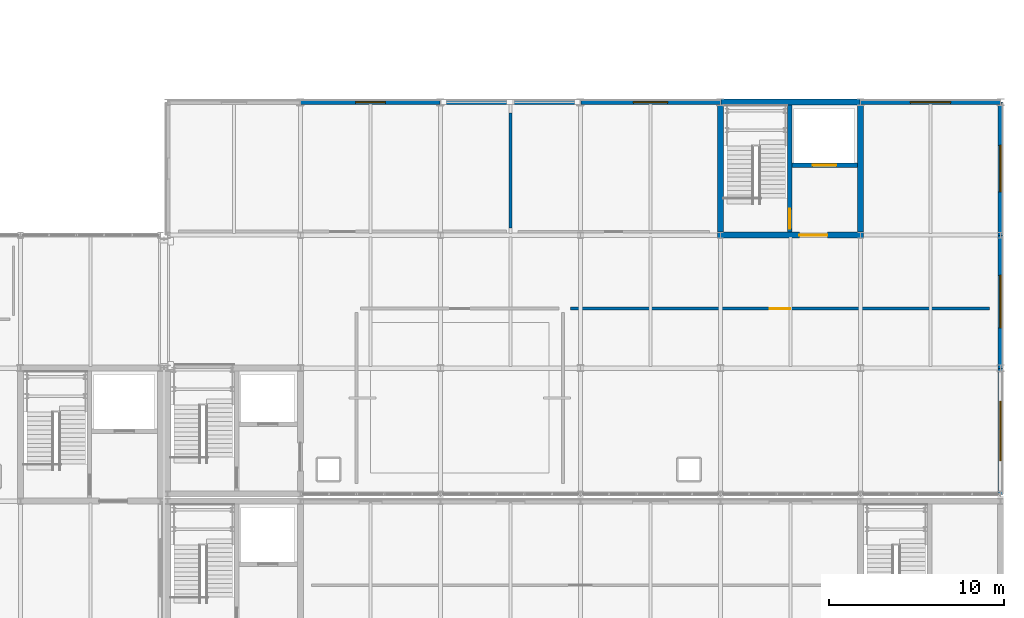
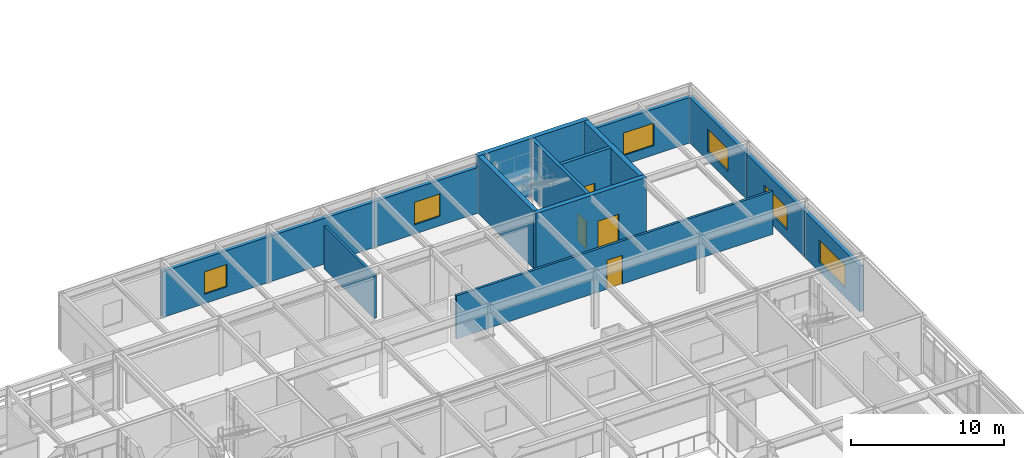
# One storey, part 89 of 104: 15 walls, 6 windows, 4 doors, 10 openings.
"""IFC4 building model written with IfcOpenShell, lengths in metres."""

from ifc_helpers import new_model, si_unit, direction, frame, frame_2d, origin, place, context, subcontext, project, spatial, rectangle, extrude, material, layer, layer_set, type_object, element, fill, save


model = new_model("IFC4")

# Units and contexts
model_context = context("Model", 3, precision=1e-05, world=origin(), true_north=direction((0.0, 1.0)))
body_context = subcontext(model_context, "Body", "Model", "MODEL_VIEW")
ifc_project = project(units=[si_unit("LENGTHUNIT", "METRE"), si_unit("AREAUNIT", "SQUARE_METRE"), si_unit("VOLUMEUNIT", "CUBIC_METRE"), si_unit("PLANEANGLEUNIT", "RADIAN"), si_unit("MASSUNIT", "GRAM", prefix="KILO")], contexts=[model_context])

# Site, building, storey
site_placement = place(None, origin())
site = spatial("IfcSite", under=ifc_project, at=site_placement, CompositionType="ELEMENT")
building_placement = place(site_placement, origin())
building = spatial("IfcBuilding", under=site, at=building_placement, Name="Zulena Civic Courthouse", CompositionType="ELEMENT")
storey_placement = place(building_placement, frame((0.0, 0.0, 10.800048828125)))
storey = spatial("IfcBuildingStorey", under=building, at=storey_placement, Name="L02", CompositionType="ELEMENT", Elevation=10.800048828125)

# Wall, opening, door
ifc_material_1 = material(Name="Concrete C40/50", Category="concrete")
ifc_layer_1 = layer(ifc_material_1, 0.25)
ifc_layer_set_1 = layer_set([ifc_layer_1], Name="Concrete C40/50")
wall_type_1 = type_object("IfcWallType", Name="CoreShearWall_RC250", PredefinedType="SHEAR", material=ifc_layer_set_1)
wall_1_placement = place(storey_placement, frame((159.949951171875, 45.77490234375, 0.0), z_axis=(0.0, 0.0, 1.0), x_axis=(0.0, 1.0, 0.0)))
wall_1 = element("IfcWall", 1, at=wall_1_placement, inside=storey, type_object=wall_type_1, Name="cwall:K3B:L02:DIV", PredefinedType="SHEAR", context=body_context, shape_type="SweptSolid", body=[
    extrude(rectangle(XDim=7.25, YDim=0.25, at=frame_2d((3.625, 0.0))), origin(), (0.0, 0.0, 1.0), 4.58984375),
])
opening_1_placement = place(wall_1_placement, frame((0.179931640625, 0.0, 0.0)))
opening_1 = element("IfcOpeningElement", 2, at=opening_1_placement, cuts=wall_1, Name="Opening ID08", PredefinedType="OPENING", context=body_context, shape_type="SweptSolid", body=[
    extrude(rectangle(XDim=1.14990234375, YDim=2.199951171875, at=frame_2d((0.574951171875, 1.10009765625))), frame((0.0, 0.135009765625, 0.0), z_axis=(0.0, -1.0, 0.0), x_axis=(1.0, 0.0, 0.0)), (0.0, 0.0, 1.0), 0.27001953125),
])
ifc_material_2 = material(Name="Fire-rated galvanised steel ASTM A653 Grade 50", Category="steel")
door_type_1 = type_object("IfcDoorType", Name="IntDoor_Stair_1150x2200", OperationType="NOTDEFINED", PredefinedType="DOOR", material=ifc_material_2)
door_1_placement = place(opening_1_placement, origin())
door_1 = element("IfcDoor", 3, at=door_1_placement, inside=storey, type_object=door_type_1, Name="door:stair:K3B:L02", OperationType="SINGLE_SWING_LEFT", OverallHeight=2.199951171875, OverallWidth=1.14990234375, PredefinedType="DOOR", context=body_context, shape_type="SweptSolid", body=[
    extrude(rectangle(XDim=1.14990234375, YDim=2.199951171875, at=frame_2d((0.574951171875, 1.10009765625))), frame((0.0, 0.02490234375, 0.0), z_axis=(0.0, -1.0, 0.0), x_axis=(1.0, 0.0, 0.0)), (0.0, 0.0, 1.0), 0.050048828125),
])
fill(opening_1, door_1)

wall_2_placement = place(storey_placement, frame((160.074951171875, 49.60009765625, 0.0), z_axis=(0.0, 0.0, 1.0), x_axis=(1.0, 0.0, 0.0)))
wall_2 = element("IfcWall", 4, at=wall_2_placement, inside=storey, type_object=wall_type_1, Name="cwall:K3B:L02:SHF", PredefinedType="SHEAR", context=body_context, shape_type="SweptSolid", body=[
    extrude(rectangle(XDim=3.75, YDim=0.25, at=frame_2d((1.875, 0.0))), origin(), (0.0, 0.0, 1.0), 4.58984375),
])
opening_2_placement = place(wall_2_placement, frame((1.195068359375, 0.0, 0.0)))
opening_2 = element("IfcOpeningElement", 5, at=opening_2_placement, cuts=wall_2, Name="Opening LD04", PredefinedType="OPENING", context=body_context, shape_type="SweptSolid", body=[
    extrude(rectangle(XDim=1.35009765625, YDim=2.199951171875, at=frame_2d((0.675048828125, 1.10009765625))), frame((0.0, 0.135009765625, 0.0), z_axis=(0.0, -1.0, 0.0), x_axis=(1.0, 0.0, 0.0)), (0.0, 0.0, 1.0), 0.27001953125),
])
door_type_2 = type_object("IfcDoorType", Name="LiftLandingDoor_Goods_1350x2300", OperationType="DOUBLE_DOOR_SLIDING", PredefinedType="DOOR", material=ifc_material_2)
door_2_placement = place(opening_2_placement, origin())
door_2 = element("IfcDoor", 6, at=door_2_placement, inside=storey, type_object=door_type_2, Name="door:ld:GL-01:L02", OperationType="DOUBLE_DOOR_SLIDING", OverallHeight=2.199951171875, OverallWidth=1.35009765625, PredefinedType="DOOR", context=body_context, shape_type="SweptSolid", body=[
    extrude(rectangle(XDim=1.35009765625, YDim=2.199951171875, at=frame_2d((0.675048828125, 1.10009765625))), frame((0.0, 0.02490234375, 0.0), z_axis=(0.0, -1.0, 0.0), x_axis=(1.0, 0.0, 0.0)), (0.0, 0.0, 1.0), 0.050048828125),
])
fill(opening_2, door_2)

ifc_layer_2 = layer(ifc_material_1, 0.35009765625)
ifc_layer_set_2 = layer_set([ifc_layer_2], Name="Concrete C40/50")
wall_type_2 = type_object("IfcWallType", Name="CoreShearWall_RC350", PredefinedType="SHEAR", material=ifc_layer_set_2)
wall_3_placement = place(storey_placement, frame((155.824951171875, 45.60009765625, 0.0), z_axis=(0.0, 0.0, 1.0), x_axis=(1.0, 0.0, 0.0)))
wall_3 = element("IfcWall", 7, at=wall_3_placement, inside=storey, type_object=wall_type_2, Name="cwall:K3B:L02:S", PredefinedType="SHEAR", context=body_context, shape_type="SweptSolid", body=[
    extrude(rectangle(XDim=8.35009765625, YDim=0.35009765625, at=frame_2d((4.175048828125, 0.0))), origin(), (0.0, 0.0, 1.0), 4.58984375),
])
opening_3_placement = place(wall_3_placement, frame((4.68505859375, 0.0, 0.0)))
opening_3 = element("IfcOpeningElement", 8, at=opening_3_placement, cuts=wall_3, Name="Opening ID04", PredefinedType="OPENING", context=body_context, shape_type="SweptSolid", body=[
    extrude(rectangle(XDim=1.60009765625, YDim=2.35009765625, at=frame_2d((0.800048828125, 1.175048828125))), frame((0.0, 0.18505859375, 0.0), z_axis=(0.0, -1.0, 0.0), x_axis=(1.0, 0.0, 0.0)), (0.0, 0.0, 1.0), 0.3701171875),
])
ifc_material_3 = material(Name="Solid-core acoustic hardwood timber", Category="wood")
door_type_3 = type_object("IfcDoorType", Name="IntDoor_CourtPublic_1600x2350", OperationType="DOUBLE_DOOR_SINGLE_SWING", PredefinedType="DOOR", material=ifc_material_3)
door_3_placement = place(opening_3_placement, origin())
door_3 = element("IfcDoor", 9, at=door_3_placement, inside=storey, type_object=door_type_3, Name="door:corelob:K3B:L02", OperationType="DOUBLE_DOOR_SINGLE_SWING", OverallHeight=2.35009765625, OverallWidth=1.60009765625, PredefinedType="DOOR", context=body_context, shape_type="SweptSolid", body=[
    extrude(rectangle(XDim=1.60009765625, YDim=2.35009765625, at=frame_2d((0.800048828125, 1.175048828125))), frame((0.0, 0.02490234375, 0.0), z_axis=(0.0, -1.0, 0.0), x_axis=(1.0, 0.0, 0.0)), (0.0, 0.0, 1.0), 0.050048828125),
])
fill(opening_3, door_3)

# Walls
wall_4_placement = place(storey_placement, frame((155.824951171875, 53.199951171875, 0.0), z_axis=(0.0, 0.0, 1.0), x_axis=(1.0, 0.0, 0.0)))
element("IfcWall", 10, at=wall_4_placement, inside=storey, type_object=wall_type_2, Name="cwall:K3B:L02:N", PredefinedType="SHEAR", context=body_context, shape_type="SweptSolid", body=[
    extrude(rectangle(XDim=8.35009765625, YDim=0.35009765625, at=frame_2d((4.175048828125, 0.0))), origin(), (0.0, 0.0, 1.0), 4.58984375),
])
for number, where, z_axis, x_axis, name in (
    (11, (156.0, 45.77490234375, 0.0), (0.0, 0.0, 1.0), (0.0, 1.0, 0.0), "cwall:K3B:L02:W"),
    (12, (164.0, 45.77490234375, 0.0), (0.0, 0.0, 1.0), (0.0, 1.0, 0.0), "cwall:K3B:L02:E"),
):
    element("IfcWall", number, at=place(storey_placement, frame(where, z_axis=z_axis, x_axis=x_axis)), inside=storey, type_object=wall_type_2, Name=name, PredefinedType="SHEAR", context=body_context, shape_type="SweptSolid", body=[
        extrude(rectangle(XDim=7.25, YDim=0.35009765625, at=frame_2d((3.625, 0.0))), origin(), (0.0, 0.0, 1.0), 4.58984375),
    ])

# Wall, opening, window
ifc_material_4 = material(Name="Travertine-cream architectural precast concrete C40/50", Category="masonry")
ifc_layer_3 = layer(ifc_material_4, 0.280029296875)
ifc_layer_set_3 = layer_set([ifc_layer_3], Name="Travertine-cream architectural precast concrete C40/50")
wall_type_3 = type_object("IfcWallType", Name="ExtWall_TravPrecast_280", PredefinedType="STANDARD", material=ifc_layer_set_3)
wall_5_placement = place(storey_placement, frame((131.97998046875, 53.199951171875, 0.0), z_axis=(0.0, 0.0, 1.0), x_axis=(1.0, 0.0, 0.0)))
wall_5 = element("IfcWall", 13, at=wall_5_placement, inside=storey, type_object=wall_type_3, Name="ewall:V3:L02:1:1", PredefinedType="STANDARD", context=body_context, shape_type="SweptSolid", body=[
    extrude(rectangle(XDim=8.0400390625, YDim=0.280029296875, at=frame_2d((4.02001953125, 0.0))), origin(), (0.0, 0.0, 1.0), 3.659912109375),
])
opening_4_placement = place(wall_5_placement, frame((3.169921875, 0.0, 0.75)))
opening_4 = element("IfcOpeningElement", 14, at=opening_4_placement, cuts=wall_5, Name="Opening WN18", PredefinedType="OPENING", context=body_context, shape_type="SweptSolid", body=[
    extrude(rectangle(XDim=1.699951171875, YDim=1.800048828125, at=frame_2d((0.85009765625, 0.89990234375))), frame((0.0, 0.14990234375, 0.0), z_axis=(0.0, -1.0, 0.0), x_axis=(1.0, 0.0, 0.0)), (0.0, 0.0, 1.0), 0.300048828125),
])
ifc_material_5 = material(Name="Double-silver low-E laminated solar-control glass", Category="glass")
window_type_1 = type_object("IfcWindowType", Name="Win_1700x1800", PartitioningType="SINGLE_PANEL", PredefinedType="WINDOW", material=ifc_material_5)
window_1_placement = place(opening_4_placement, origin())
window_1 = element("IfcWindow", 15, at=window_1_placement, inside=storey, type_object=window_type_1, Name="win:V3:L02:1:1", OverallHeight=1.800048828125, OverallWidth=1.699951171875, PartitioningType="SINGLE_PANEL", PredefinedType="WINDOW", context=body_context, shape_type="SweptSolid", body=[
    extrude(rectangle(XDim=1.699951171875, YDim=1.800048828125, at=frame_2d((0.85009765625, 0.89990234375))), frame((0.0, 0.030029296875, 0.0), z_axis=(0.0, -1.0, 0.0), x_axis=(1.0, 0.0, 0.0)), (0.0, 0.0, 1.0), 0.06005859375),
])
fill(opening_4, window_1)

# Wall
wall_6_placement = place(storey_placement, frame((139.97998046875, 53.199951171875, 0.0), z_axis=(0.0, 0.0, 1.0), x_axis=(1.0, 0.0, 0.0)))
element("IfcWall", 16, at=wall_6_placement, inside=storey, type_object=wall_type_3, Name="ewall:V3:L02:1:2", PredefinedType="STANDARD", context=body_context, shape_type="SweptSolid", body=[
    extrude(rectangle(XDim=8.0400390625, YDim=0.280029296875, at=frame_2d((4.02001953125, 0.0))), origin(), (0.0, 0.0, 1.0), 3.659912109375),
])

# Wall, opening, window
wall_7_placement = place(storey_placement, frame((147.97998046875, 53.199951171875, 0.0), z_axis=(0.0, 0.0, 1.0), x_axis=(1.0, 0.0, 0.0)))
wall_7 = element("IfcWall", 17, at=wall_7_placement, inside=storey, type_object=wall_type_3, Name="ewall:V3:L02:1:3", PredefinedType="STANDARD", context=body_context, shape_type="SweptSolid", body=[
    extrude(rectangle(XDim=8.0400390625, YDim=0.280029296875, at=frame_2d((4.02001953125, 0.0))), origin(), (0.0, 0.0, 1.0), 3.659912109375),
])
opening_5_placement = place(wall_7_placement, frame((3.044921875, 0.0, 0.75)))
opening_5 = element("IfcOpeningElement", 18, at=opening_5_placement, cuts=wall_7, Name="Opening WN19", PredefinedType="OPENING", context=body_context, shape_type="SweptSolid", body=[
    extrude(rectangle(XDim=1.949951171875, YDim=1.800048828125, at=frame_2d((0.97509765625, 0.89990234375))), frame((0.0, 0.14990234375, 0.0), z_axis=(0.0, -1.0, 0.0), x_axis=(1.0, 0.0, 0.0)), (0.0, 0.0, 1.0), 0.300048828125),
])
window_type_2 = type_object("IfcWindowType", Name="Win_1950x1800", PartitioningType="DOUBLE_PANEL_VERTICAL", PredefinedType="WINDOW", material=ifc_material_5)
window_2_placement = place(opening_5_placement, origin())
window_2 = element("IfcWindow", 19, at=window_2_placement, inside=storey, type_object=window_type_2, Name="win:V3:L02:1:3", OverallHeight=1.800048828125, OverallWidth=1.949951171875, PartitioningType="SINGLE_PANEL", PredefinedType="WINDOW", context=body_context, shape_type="SweptSolid", body=[
    extrude(rectangle(XDim=1.949951171875, YDim=1.800048828125, at=frame_2d((0.97509765625, 0.89990234375))), frame((0.0, 0.030029296875, 0.0), z_axis=(0.0, -1.0, 0.0), x_axis=(1.0, 0.0, 0.0)), (0.0, 0.0, 1.0), 0.06005859375),
])
fill(opening_5, window_2)

wall_8_placement = place(storey_placement, frame((163.97998046875, 53.199951171875, 0.0), z_axis=(0.0, 0.0, 1.0), x_axis=(1.0, 0.0, 0.0)))
wall_8 = element("IfcWall", 20, at=wall_8_placement, inside=storey, type_object=wall_type_3, Name="ewall:V3:L02:1:5", PredefinedType="STANDARD", context=body_context, shape_type="SweptSolid", body=[
    extrude(rectangle(XDim=8.0400390625, YDim=0.280029296875, at=frame_2d((4.02001953125, 0.0))), origin(), (0.0, 0.0, 1.0), 3.659912109375),
])
opening_6_placement = place(wall_8_placement, frame((2.8701171875, 0.0, 0.75)))
opening_6 = element("IfcOpeningElement", 21, at=opening_6_placement, cuts=wall_8, Name="Opening WN20", PredefinedType="OPENING", context=body_context, shape_type="SweptSolid", body=[
    extrude(rectangle(XDim=2.300048828125, YDim=1.800048828125, at=frame_2d((1.14990234375, 0.89990234375))), frame((0.0, 0.14990234375, 0.0), z_axis=(0.0, -1.0, 0.0), x_axis=(1.0, 0.0, 0.0)), (0.0, 0.0, 1.0), 0.300048828125),
])
window_type_3 = type_object("IfcWindowType", Name="Win_2300x1800", PartitioningType="DOUBLE_PANEL_VERTICAL", PredefinedType="WINDOW", material=ifc_material_5)
window_3_placement = place(opening_6_placement, origin())
window_3 = element("IfcWindow", 22, at=window_3_placement, inside=storey, type_object=window_type_3, Name="win:V3:L02:1:5", OverallHeight=1.800048828125, OverallWidth=2.300048828125, PartitioningType="SINGLE_PANEL", PredefinedType="WINDOW", context=body_context, shape_type="SweptSolid", body=[
    extrude(rectangle(XDim=2.300048828125, YDim=1.800048828125, at=frame_2d((1.14990234375, 0.89990234375))), frame((0.0, 0.030029296875, 0.0), z_axis=(0.0, -1.0, 0.0), x_axis=(1.0, 0.0, 0.0)), (0.0, 0.0, 1.0), 0.06005859375),
])
fill(opening_6, window_3)

wall_9_placement = place(storey_placement, frame((172.0, 53.219970703125, 0.0), z_axis=(0.0, 0.0, 1.0), x_axis=(0.0, -1.0, 0.0)))
wall_9 = element("IfcWall", 23, at=wall_9_placement, inside=storey, type_object=wall_type_3, Name="ewall:V3:L02:2:0", PredefinedType="STANDARD", context=body_context, shape_type="SweptSolid", body=[
    extrude(rectangle(XDim=7.639892578125, YDim=0.280029296875, at=frame_2d((3.81982421875, 0.0))), origin(), (0.0, 0.0, 1.0), 3.659912109375),
])
opening_7_placement = place(wall_9_placement, frame((2.4951171875, 0.0, 0.75)))
opening_7 = element("IfcOpeningElement", 24, at=opening_7_placement, cuts=wall_9, Name="Opening WN21", PredefinedType="OPENING", context=body_context, shape_type="SweptSolid", body=[
    extrude(rectangle(XDim=2.64990234375, YDim=1.800048828125, at=frame_2d((1.324951171875, 0.89990234375))), frame((0.0, 0.14990234375, 0.0), z_axis=(0.0, -1.0, 0.0), x_axis=(1.0, 0.0, 0.0)), (0.0, 0.0, 1.0), 0.300048828125),
])
window_type_4 = type_object("IfcWindowType", Name="Win_2650x1800", PartitioningType="DOUBLE_PANEL_VERTICAL", PredefinedType="WINDOW", material=ifc_material_5)
window_4_placement = place(opening_7_placement, origin())
window_4 = element("IfcWindow", 25, at=window_4_placement, inside=storey, type_object=window_type_4, Name="win:V3:L02:2:0", OverallHeight=1.800048828125, OverallWidth=2.64990234375, PartitioningType="SINGLE_PANEL", PredefinedType="WINDOW", context=body_context, shape_type="SweptSolid", body=[
    extrude(rectangle(XDim=2.64990234375, YDim=1.800048828125, at=frame_2d((1.324951171875, 0.89990234375))), frame((0.0, 0.030029296875, 0.0), z_axis=(0.0, -1.0, 0.0), x_axis=(1.0, 0.0, 0.0)), (0.0, 0.0, 1.0), 0.06005859375),
])
fill(opening_7, window_4)

wall_10_placement = place(storey_placement, frame((172.0, 45.6201171875, 0.0), z_axis=(0.0, 0.0, 1.0), x_axis=(0.0, -1.0, 0.0)))
wall_10 = element("IfcWall", 26, at=wall_10_placement, inside=storey, type_object=wall_type_3, Name="ewall:V3:L02:2:1", PredefinedType="STANDARD", context=body_context, shape_type="SweptSolid", body=[
    extrude(rectangle(XDim=7.64013671875, YDim=0.280029296875, at=frame_2d((3.820068359375, 0.0))), origin(), (0.0, 0.0, 1.0), 3.659912109375),
])
opening_8_placement = place(wall_10_placement, frame((2.320068359375, 0.0, 0.75)))
opening_8 = element("IfcOpeningElement", 27, at=opening_8_placement, cuts=wall_10, Name="Opening WN22", PredefinedType="OPENING", context=body_context, shape_type="SweptSolid", body=[
    extrude(rectangle(XDim=3.0, YDim=1.800048828125, at=frame_2d((1.5, 0.89990234375))), frame((0.0, 0.14990234375, 0.0), z_axis=(0.0, -1.0, 0.0), x_axis=(1.0, 0.0, 0.0)), (0.0, 0.0, 1.0), 0.300048828125),
])
window_type_5 = type_object("IfcWindowType", Name="Win_3000x1800", PartitioningType="DOUBLE_PANEL_VERTICAL", PredefinedType="WINDOW", material=ifc_material_5)
window_5_placement = place(opening_8_placement, origin())
window_5 = element("IfcWindow", 28, at=window_5_placement, inside=storey, type_object=window_type_5, Name="win:V3:L02:2:1", OverallHeight=1.800048828125, OverallWidth=3.0, PartitioningType="SINGLE_PANEL", PredefinedType="WINDOW", context=body_context, shape_type="SweptSolid", body=[
    extrude(rectangle(XDim=3.0, YDim=1.800048828125, at=frame_2d((1.5, 0.89990234375))), frame((0.0, 0.030029296875, 0.0), z_axis=(0.0, -1.0, 0.0), x_axis=(1.0, 0.0, 0.0)), (0.0, 0.0, 1.0), 0.06005859375),
])
fill(opening_8, window_5)

wall_11_placement = place(storey_placement, frame((172.0, 38.02001953125, 0.0), z_axis=(0.0, 0.0, 1.0), x_axis=(0.0, -1.0, 0.0)))
wall_11 = element("IfcWall", 29, at=wall_11_placement, inside=storey, type_object=wall_type_3, Name="ewall:V3:L02:2:2", PredefinedType="STANDARD", context=body_context, shape_type="SweptSolid", body=[
    extrude(rectangle(XDim=7.239990234375, YDim=0.280029296875, at=frame_2d((3.6201171875, 0.0))), origin(), (0.0, 0.0, 1.0), 3.659912109375),
])
opening_9_placement = place(wall_11_placement, frame((1.919921875, 0.0, 0.75)))
opening_9 = element("IfcOpeningElement", 30, at=opening_9_placement, cuts=wall_11, Name="Opening WN23", PredefinedType="OPENING", context=body_context, shape_type="SweptSolid", body=[
    extrude(rectangle(XDim=3.39990234375, YDim=1.800048828125, at=frame_2d((1.699951171875, 0.89990234375))), frame((0.0, 0.14990234375, 0.0), z_axis=(0.0, -1.0, 0.0), x_axis=(1.0, 0.0, 0.0)), (0.0, 0.0, 1.0), 0.300048828125),
])
window_type_6 = type_object("IfcWindowType", Name="Win_3400x1800", PartitioningType="DOUBLE_PANEL_VERTICAL", PredefinedType="WINDOW", material=ifc_material_5)
window_6_placement = place(opening_9_placement, origin())
window_6 = element("IfcWindow", 31, at=window_6_placement, inside=storey, type_object=window_type_6, Name="win:V3:L02:2:2", OverallHeight=1.800048828125, OverallWidth=3.39990234375, PartitioningType="SINGLE_PANEL", PredefinedType="WINDOW", context=body_context, shape_type="SweptSolid", body=[
    extrude(rectangle(XDim=3.39990234375, YDim=1.800048828125, at=frame_2d((1.699951171875, 0.89990234375))), frame((0.0, 0.030029296875, 0.0), z_axis=(0.0, -1.0, 0.0), x_axis=(1.0, 0.0, 0.0)), (0.0, 0.0, 1.0), 0.06005859375),
])
fill(opening_9, window_6)

# Wall, opening, door
ifc_material_6 = material(Name="Acoustic fire-rated gypsum board assembly", Category="masonry")
ifc_layer_4 = layer(ifc_material_6, 0.177978515625)
ifc_layer_set_4 = layer_set([ifc_layer_4], Name="Acoustic fire-rated gypsum board assembly")
wall_type_4 = type_object("IfcWallType", Name="PartWall_Corridor_178", PredefinedType="PARTITIONING", material=ifc_layer_set_4)
wall_12_placement = place(storey_placement, frame((147.419921875, 41.39990234375, 0.0), z_axis=(0.0, 0.0, 1.0), x_axis=(1.0, 0.0, 0.0)))
wall_12 = element("IfcWall", 32, at=wall_12_placement, inside=storey, type_object=wall_type_4, Name="pwall:L02:270:0", PredefinedType="PARTITIONING", context=body_context, shape_type="SweptSolid", body=[
    extrude(rectangle(XDim=23.9599609375, YDim=0.177978515625, at=frame_2d((11.97998046875, 0.0))), origin(), (0.0, 0.0, 1.0), 3.449951171875),
])
opening_10_placement = place(wall_12_placement, frame((11.389892578125, 0.0, 0.0)))
opening_10 = element("IfcOpeningElement", 33, at=opening_10_placement, cuts=wall_12, Name="Opening ID27", PredefinedType="OPENING", context=body_context, shape_type="SweptSolid", body=[
    extrude(rectangle(XDim=1.179931640625, YDim=2.300048828125, at=frame_2d((0.58984375, 1.14990234375))), frame((0.0, 0.098876953125, 0.0), z_axis=(0.0, -1.0, 0.0), x_axis=(1.0, 0.0, 0.0)), (0.0, 0.0, 1.0), 0.197998046875),
])
door_type_4 = type_object("IfcDoorType", Name="IntDoor_FCC_1180x2300", OperationType="NOTDEFINED", PredefinedType="DOOR", material=ifc_material_2)
door_4_placement = place(opening_10_placement, origin())
door_4 = element("IfcDoor", 34, at=door_4_placement, inside=storey, type_object=door_type_4, Name="door:rm:L02:270", OperationType="SINGLE_SWING_LEFT", OverallHeight=2.300048828125, OverallWidth=1.179931640625, PredefinedType="DOOR", context=body_context, shape_type="SweptSolid", body=[
    extrude(rectangle(XDim=1.179931640625, YDim=2.300048828125, at=frame_2d((0.58984375, 1.14990234375))), frame((0.0, 0.02490234375, 0.0), z_axis=(0.0, -1.0, 0.0), x_axis=(1.0, 0.0, 0.0)), (0.0, 0.0, 1.0), 0.050048828125),
])
fill(opening_10, door_4)

# Wall
wall_13_placement = place(storey_placement, frame((144.0, 46.02001953125, 0.0), z_axis=(0.0, 0.0, 1.0), x_axis=(0.0, 1.0, 0.0)))
element("IfcWall", 35, at=wall_13_placement, inside=storey, type_object=wall_type_4, Name="pwall:L02:271:1", PredefinedType="PARTITIONING", context=body_context, shape_type="SweptSolid", body=[
    extrude(rectangle(XDim=6.56005859375, YDim=0.177978515625, at=frame_2d((3.280029296875, 0.0))), origin(), (0.0, 0.0, 1.0), 3.449951171875),
])

save(model, "model.ifc")
